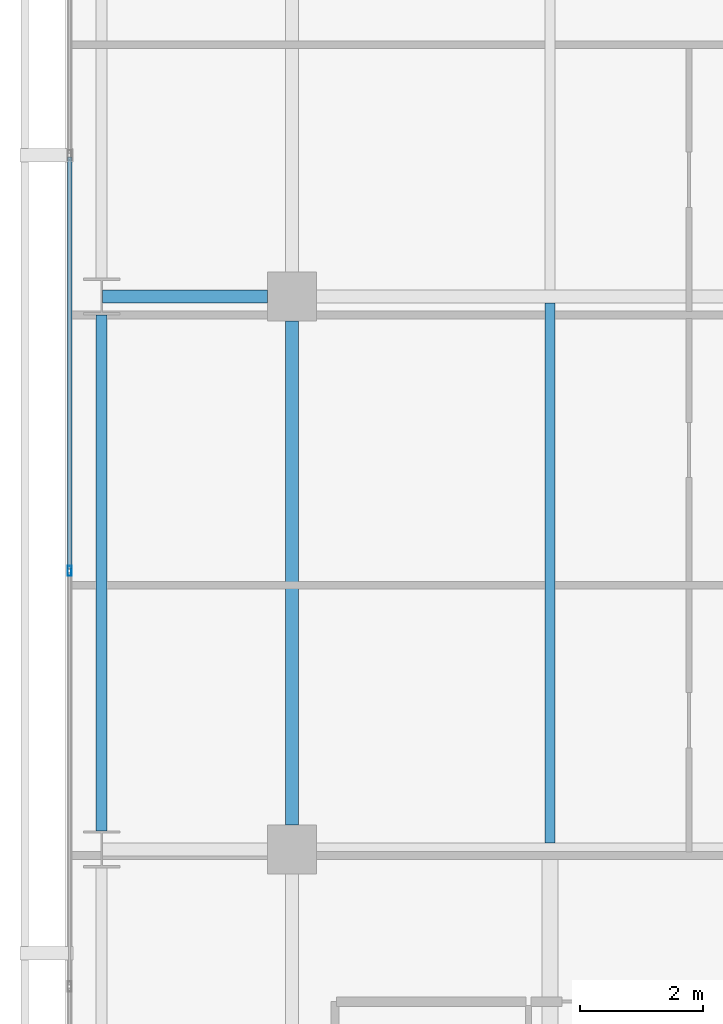
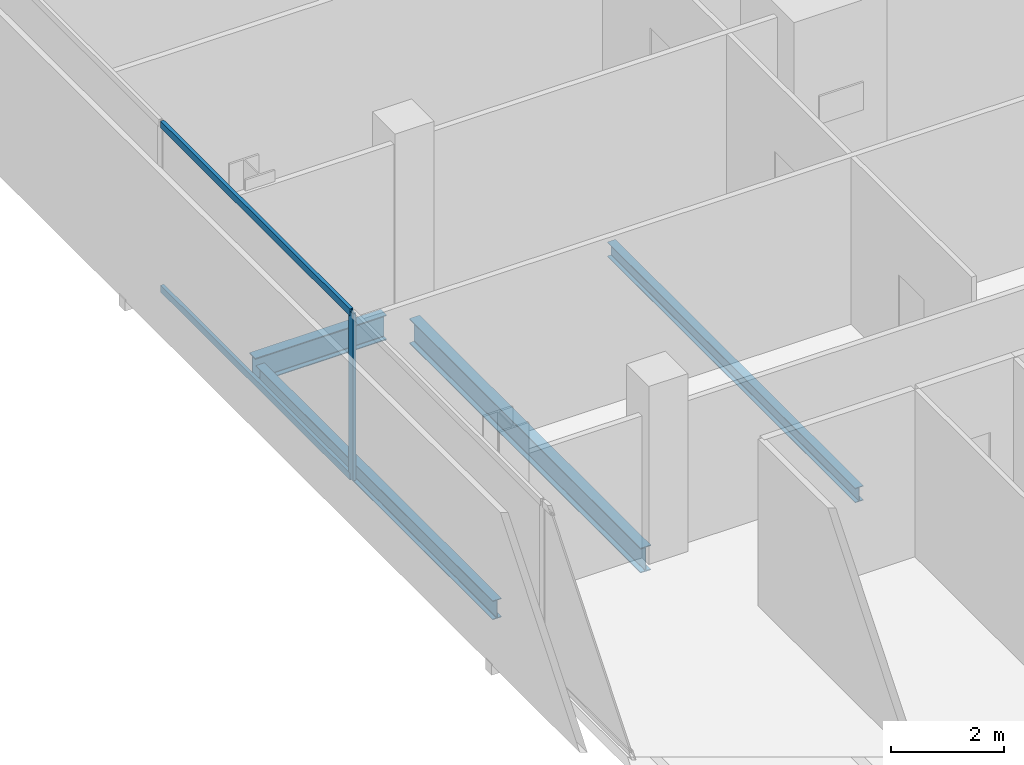
# One storey, part 8 of 34: 4 beams, 3 members, 1 element without a shape of its own.
"""IFC4 building model written with IfcOpenShell, lengths in metres."""

from ifc_helpers import new_model, si_unit, direction, frame, origin, origin_2d, place, context, subcontext, project, spatial, hollow_rectangle, i_section, extrude, material, layer, layer_set, material_profile, profile_set, type_object, element, aggregate, save


model = new_model("IFC4")

# Units and contexts
model_context = context("Model", 3, precision=1e-05, world=origin(), true_north=direction((0.0, 1.0)))
body_context = subcontext(model_context, "Body", "Model", "MODEL_VIEW")
ifc_project = project(units=[si_unit("LENGTHUNIT", "METRE"), si_unit("AREAUNIT", "SQUARE_METRE"), si_unit("VOLUMEUNIT", "CUBIC_METRE"), si_unit("PLANEANGLEUNIT", "RADIAN"), si_unit("MASSUNIT", "GRAM", prefix="KILO")], contexts=[model_context])

# Site, building, storey
site_placement = place(None, origin())
site = spatial("IfcSite", under=ifc_project, at=site_placement, CompositionType="ELEMENT")
building_placement = place(site_placement, origin())
building = spatial("IfcBuilding", under=site, at=building_placement, Name="Maruvema Waterfront Hotel and Observation Tower", CompositionType="ELEMENT")
storey_placement = place(building_placement, frame((0.0, 0.0, 212.10009765625)))
storey = spatial("IfcBuildingStorey", under=building, at=storey_placement, Name="L52", CompositionType="ELEMENT", Elevation=212.10009765625)

# Curtain wall, members
ifc_material_1 = material(Name="Anodised bronze aluminium and solar-control low-E IGU", Category="aluminium")
ifc_layer = layer(ifc_material_1, 0.159912109375, Name="Zone 2 Amber Inner Thermal Curtain Wall System CW-03")
ifc_layer_set = layer_set([ifc_layer], Name="Anodised bronze aluminium and solar-control low-E IGU")
curtain_wall_type = type_object("IfcCurtainWallType", Name="Zone 2 Amber Inner Thermal Curtain Wall System CW-03", PredefinedType="USERDEFINED", material=ifc_layer_set)
curtain_wall_placement = place(storey_placement, origin())
curtain_wall = element("IfcCurtainWall", 1, at=curtain_wall_placement, inside=storey, type_object=curtain_wall_type, Name="L52 Curtain Wall CW-L52-W", ObjectType="UNITISED CURTAIN WALL", PredefinedType="USERDEFINED")
ifc_material_2 = material(Name="Anodised architectural bronze aluminium", Category="aluminium")
ifc_material_profile_1 = material_profile(ifc_material_2, hollow_rectangle(XDim=0.070068359375, YDim=0.14990234375, WallThickness=0.00390625, at=origin_2d()), Name="ALU-T70x150")
ifc_profile_set_1 = profile_set([ifc_material_profile_1], Name="Anodised architectural bronze aluminium")
member_type_1 = type_object("IfcMemberType", Name="Curtain Wall Horizontal Transom ALU-T70x150", PredefinedType="USERDEFINED", material=ifc_profile_set_1)
member_1_placement = place(storey_placement, frame((13.179931640625, 29.27001953125, 0.02978515625), z_axis=(0.0, -1.0, 0.0), x_axis=(1.0, 0.0, 0.0)))
member_1 = element("IfcMember", 2, at=member_1_placement, type_object=member_type_1, Name="CW-03 transom 4.1", ObjectType="TRANSOM", PredefinedType="USERDEFINED", context=body_context, shape_type="SweptSolid", body=[
    extrude(hollow_rectangle(XDim=0.070068359375, YDim=0.14990234375, WallThickness=0.00390625, at=origin_2d()), origin(), (0.0, 0.0, 1.0), 6.706787109375),
])
member_2_placement = place(storey_placement, frame((13.179931640625, 29.27001953125, 3.579833984375), z_axis=(0.0, -1.0, 0.0), x_axis=(1.0, 0.0, 0.0)))
member_2 = element("IfcMember", 3, at=member_2_placement, type_object=member_type_1, Name="CW-03 transom 4.2", ObjectType="TRANSOM", PredefinedType="USERDEFINED", context=body_context, shape_type="SweptSolid", body=[
    extrude(hollow_rectangle(XDim=0.070068359375, YDim=0.14990234375, WallThickness=0.00390625, at=origin_2d()), origin(), (0.0, 0.0, 1.0), 6.706787109375),
])
ifc_material_3 = material(Name="Anodised architectural bronze aluminium", Category="aluminium")
ifc_material_profile_2 = material_profile(ifc_material_3, hollow_rectangle(XDim=0.06494140625, YDim=0.1650390625, WallThickness=0.00390625, at=origin_2d()), Name="ALU-M65x165")
ifc_profile_set_2 = profile_set([ifc_material_profile_2], Name="Anodised architectural bronze aluminium")
member_type_2 = type_object("IfcMemberType", Name="Curtain Wall Primary Mullion ALU-M65x165", PredefinedType="MULLION", material=ifc_profile_set_2)
member_3_placement = place(storey_placement, frame((13.179931640625, 22.533447265625, 0.0), z_axis=(0.0, 0.0, 1.0), x_axis=(1.0, 0.0, 0.0)))
member_3 = element("IfcMember", 4, at=member_3_placement, type_object=member_type_2, Name="CW-03 mullion 5", PredefinedType="MULLION", context=body_context, shape_type="SweptSolid", body=[
    extrude(hollow_rectangle(XDim=0.06494140625, YDim=0.1650390625, WallThickness=0.00390625, at=origin_2d()), origin(), (0.0, 0.0, 1.0), 3.60986328125),
])
aggregate(curtain_wall, [member_3, member_1, member_2])

# Beams
ifc_material_4 = material(Name="Steel ASTM A572 Grade 50", Category="steel")
ifc_material_profile_3 = material_profile(ifc_material_4, i_section(OverallWidth=0.178955078125, OverallDepth=0.409912109375, WebThickness=0.0087890625, FlangeThickness=0.014404296875, FilletRadius=0.014892578125, at=origin_2d()), Name="W410x67.0")
ifc_profile_set_3 = profile_set([ifc_material_profile_3], Name="Steel ASTM A572 Grade 50")
beam_type_1 = type_object("IfcBeamType", Name="Perimeter Spandrel Beam W410x67.0", PredefinedType="SPANDREL", material=ifc_profile_set_3)
beam_1_placement = place(storey_placement, frame((13.699951171875, 18.300048828125, -0.445068359375), z_axis=(0.0, 1.0, 0.0), x_axis=(-1.0, 0.0, 0.0)))
element("IfcBeam", 5, at=beam_1_placement, inside=storey, type_object=beam_type_1, Name="L52 Floor Girder NS-02", PredefinedType="SPANDREL", context=body_context, shape_type="SweptSolid", body=[
    extrude(i_section(OverallWidth=0.178955078125, OverallDepth=0.409912109375, WebThickness=0.0087890625, FlangeThickness=0.014404296875, FilletRadius=0.014892578125, at=origin_2d()), origin(), (0.0, 0.0, 1.0), 8.39990234375),
])
ifc_material_5 = material(Name="Steel ASTM A572 Grade 50", Category="steel")
ifc_material_profile_4 = material_profile(ifc_material_5, i_section(OverallWidth=0.2109375, OverallDepth=0.5390625, WebThickness=0.01171875, FlangeThickness=0.018798828125, FilletRadius=0.014892578125, at=origin_2d()), Name="W530x109.0")
ifc_profile_set_4 = profile_set([ifc_material_profile_4], Name="Steel ASTM A572 Grade 50")
beam_type_2 = type_object("IfcBeamType", Name="Primary Floor Girder W530x109.0", PredefinedType="BEAM", material=ifc_profile_set_4)
beam_2_placement = place(storey_placement, frame((13.71240234375, 27.0, -0.509521484375), z_axis=(1.0, 0.0, 0.0), x_axis=(0.0, 1.0, 0.0)))
element("IfcBeam", 6, at=beam_2_placement, inside=storey, type_object=beam_type_2, Name="L52 Floor Girder EW-18", PredefinedType="BEAM", context=body_context, shape_type="SweptSolid", body=[
    extrude(i_section(OverallWidth=0.2109375, OverallDepth=0.5390625, WebThickness=0.01171875, FlangeThickness=0.018798828125, FilletRadius=0.014892578125, at=origin_2d()), origin(), (0.0, 0.0, 1.0), 2.6875),
])
beam_3_placement = place(storey_placement, frame((16.800048828125, 18.39990234375, -0.509521484375), z_axis=(0.0, 1.0, 0.0), x_axis=(-1.0, 0.0, 0.0)))
element("IfcBeam", 7, at=beam_3_placement, inside=storey, type_object=beam_type_2, Name="L52 Floor Girder NS-06", PredefinedType="BEAM", context=body_context, shape_type="SweptSolid", body=[
    extrude(i_section(OverallWidth=0.2109375, OverallDepth=0.5390625, WebThickness=0.01171875, FlangeThickness=0.018798828125, FilletRadius=0.014892578125, at=origin_2d()), origin(), (0.0, 0.0, 1.0), 8.2001953125),
])
ifc_material_6 = material(Name="Steel ASTM A572 Grade 50", Category="steel")
ifc_material_profile_5 = material_profile(ifc_material_6, i_section(OverallWidth=0.1669921875, OverallDepth=0.31689453125, WebThickness=0.007568359375, FlangeThickness=0.01318359375, FilletRadius=0.012939453125, at=origin_2d()), Name="W310x52.0")
ifc_profile_set_5 = profile_set([ifc_material_profile_5], Name="Steel ASTM A572 Grade 50")
beam_type_3 = type_object("IfcBeamType", Name="Secondary Floor Joist W310x52.0", PredefinedType="JOIST", material=ifc_profile_set_5)
beam_4_placement = place(storey_placement, frame((21.0, 18.10546875, -0.398681640625), z_axis=(0.0, 1.0, 0.0), x_axis=(-1.0, 0.0, 0.0)))
element("IfcBeam", 8, at=beam_4_placement, inside=storey, type_object=beam_type_3, Name="L52 Secondary Floor Joist JS-02", PredefinedType="JOIST", context=body_context, shape_type="SweptSolid", body=[
    extrude(i_section(OverallWidth=0.1669921875, OverallDepth=0.31689453125, WebThickness=0.007568359375, FlangeThickness=0.01318359375, FilletRadius=0.012939453125, at=origin_2d()), origin(), (0.0, 0.0, 1.0), 8.7890625),
])

save(model, "model.ifc")
